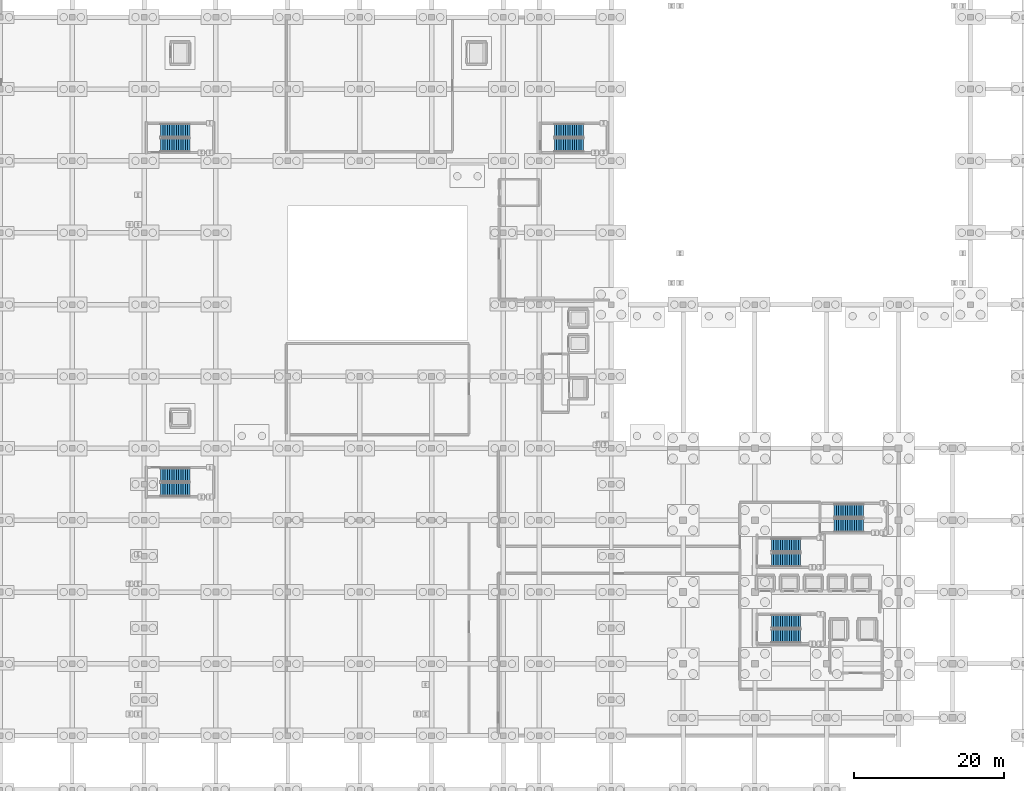
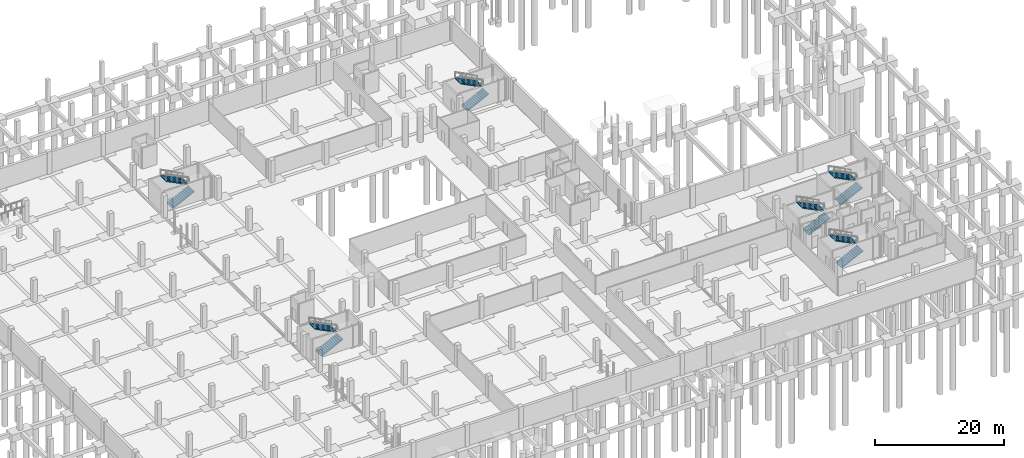
# One storey, part 45 of 54: 12 stair flights, 6 elements without a shape of their own.
"""IFC4 building model written with IfcOpenShell, lengths in metres."""

import ifcopenshell
import ifcopenshell.guid

model = None  # the IFC model being written
_history = None  # IfcOwnerHistory: only IFC2X3 demands one
_inside = {}  # id of a spatial element -> (the spatial element, [elements in it])
_under = {}  # id of a project, library or spatial element -> (it, [spatial elements below it])
_declared = {}  # id of a project -> (the project, [libraries it declares])
_typed = {}  # id of a type object -> (the type object, [elements of that type])
_made_of = {}  # id of a material, layer set ... -> (it, [elements and type objects made of it])


def new_model(schema):
    """Start an empty IFC model of exactly this schema.

    Asked for "IFC4X3", IfcOpenShell would pick the latest addendum, in which some entities
    have other attributes; the version numbers below select the first issue.
    IFC2X3 requires an IfcOwnerHistory on every rooted entity: one is made here for all.
    """
    global model, _history
    if schema == "IFC4X3":
        model = ifcopenshell.file(schema_version=(4, 3, 0, 0))
    else:
        model = ifcopenshell.file(schema=schema)
    _inside.clear()
    _under.clear()
    _declared.clear()
    _typed.clear()
    _made_of.clear()
    _history = None
    if model.schema == "IFC2X3":
        org = make("IfcOrganization", Name="unknown")
        user = make(
            "IfcPersonAndOrganization",
            ThePerson=make("IfcPerson", FamilyName="unknown"),
            TheOrganization=org,
        )
        app = make(
            "IfcApplication",
            ApplicationDeveloper=org,
            Version="unknown",
            ApplicationFullName="unknown",
            ApplicationIdentifier="unknown",
        )
        _history = make(
            "IfcOwnerHistory",
            OwningUser=user,
            OwningApplication=app,
            ChangeAction="ADDED",
            CreationDate=0,
        )
    return model


def make(cls, **values):
    """One entity of the class cls with the attributes given. An attribute that is None is left unset."""
    return model.create_entity(
        cls, **{name: value for name, value in values.items() if value is not None}
    )


def rooted(cls, **values):
    """An entity with a GlobalId (a new one), such as an element, a storey or a relation."""
    return make(cls, GlobalId=ifcopenshell.guid.new(), OwnerHistory=_history, **values)


def si_unit(unit_type, name, prefix=None):
    """IfcSIUnit, for example si_unit("LENGTHUNIT", "METRE", prefix="MILLI")."""
    return make("IfcSIUnit", UnitType=unit_type, Prefix=prefix, Name=name)


def assignment(units):
    """IfcUnitAssignment: the units of a project."""
    return None if units is None else make("IfcUnitAssignment", Units=units)


def point(xyz):
    """IfcCartesianPoint."""
    return None if xyz is None else make("IfcCartesianPoint", Coordinates=xyz)


def direction(xyz):
    """IfcDirection."""
    return None if xyz is None else make("IfcDirection", DirectionRatios=xyz)


def frame(location, z_axis=None, x_axis=None):
    """IfcAxis2Placement3D, a coordinate frame: its origin and axes. An axis left out is left unset."""
    return make(
        "IfcAxis2Placement3D",
        Location=point(location),
        Axis=direction(z_axis),
        RefDirection=direction(x_axis),
    )


def origin():
    """The frame at (0, 0, 0) with its axes left unset."""
    return frame((0.0, 0.0, 0.0))


def place(relative_to, where):
    """IfcLocalPlacement: puts the frame where relative to a parent placement (None: the world)."""
    return make(
        "IfcLocalPlacement", PlacementRelTo=relative_to, RelativePlacement=where
    )


def context(
    kind, dimensions, precision=None, world=None, true_north=None, identifier=None
):
    """IfcGeometricRepresentationContext, for example the 3D "Model" context."""
    return make(
        "IfcGeometricRepresentationContext",
        ContextIdentifier=identifier,
        ContextType=kind,
        CoordinateSpaceDimension=dimensions,
        Precision=precision,
        WorldCoordinateSystem=world,
        TrueNorth=true_north,
    )


def subcontext(parent, identifier, kind, view, scale=None):
    """IfcGeometricRepresentationSubContext, for example "Body" below "Model"."""
    return make(
        "IfcGeometricRepresentationSubContext",
        ContextIdentifier=identifier,
        ContextType=kind,
        ParentContext=parent,
        TargetScale=scale,
        TargetView=view,
    )


def project(units=None, contexts=None):
    """IfcProject with its units and contexts."""
    return rooted(
        "IfcProject",
        Name="project",
        RepresentationContexts=contexts,
        UnitsInContext=assignment(units),
    )


def spatial(cls, under=None, at=None, **own):
    """A site, building, storey or space (cls), placed at a placement, below another one or the project."""
    s = rooted(cls, ObjectPlacement=at, **own)
    if under is not None:
        _under.setdefault(under.id(), (under, []))[1].append(s)
    return s


def polyline(points):
    """IfcPolyline through the points."""
    return make("IfcPolyline", Points=[point(p) for p in points])


def outline(outer, holes=None, kind="AREA"):
    """IfcArbitraryClosedProfileDef: a profile drawn as a closed curve; with holes, ...WithVoids."""
    if holes is None:
        return make("IfcArbitraryClosedProfileDef", ProfileType=kind, OuterCurve=outer)
    return make(
        "IfcArbitraryProfileDefWithVoids",
        ProfileType=kind,
        OuterCurve=outer,
        InnerCurves=holes,
    )


def extrude(swept, where, along, depth):
    """IfcExtrudedAreaSolid: the profile swept, set in the frame where, extruded along a direction by depth."""
    return make(
        "IfcExtrudedAreaSolid",
        SweptArea=swept,
        Position=where,
        ExtrudedDirection=direction(along),
        Depth=depth,
    )


def shape(context_of_items, identifier, shape_type, items):
    """IfcShapeRepresentation: the items that make up one representation, for example the "Body"."""
    return make(
        "IfcShapeRepresentation",
        ContextOfItems=context_of_items,
        RepresentationIdentifier=identifier,
        RepresentationType=shape_type,
        Items=items,
    )


def material(Name=None, Category=None):
    """IfcMaterial."""
    return make("IfcMaterial", Name=Name, Category=Category)


def layer(
    of_material, thickness, ventilated=None, Name=None, Category=None, Priority=None
):
    """IfcMaterialLayer: one layer of a wall or slab, of a material (None: an air gap)."""
    return make(
        "IfcMaterialLayer",
        Material=of_material,
        LayerThickness=thickness,
        IsVentilated=ventilated,
        Name=Name,
        Category=Category,
        Priority=Priority,
    )


def layer_set(layers, Name=None):
    """IfcMaterialLayerSet."""
    return make("IfcMaterialLayerSet", MaterialLayers=layers, LayerSetName=Name)


def made_of(thing, what):
    """Note that an element or type object is made of a material, layer set ...; save() writes the relation."""
    if what is not None:
        _made_of.setdefault(what.id(), (what, []))[1].append(thing)
    return thing


def type_object(cls, material=None, **own):
    """A type object (cls), such as IfcWallType, which elements share."""
    return made_of(rooted(cls, **own), material)


def element(
    cls,
    number,
    at=None,
    inside=None,
    cuts=None,
    type_object=None,
    material=None,
    context=None,
    identifier="Body",
    shape_type=None,
    held_by="IfcProductDefinitionShape",
    body=None,
    shapes=None,
    **own,
):
    """One element of the class cls, such as IfcWall. Its Tag is "e" and its number.

    at: its placement. inside: the storey or other place that contains it. cuts: it is an
    opening in that element (IfcRelVoidsElement). A single representation is given by context,
    identifier, shape_type and body (its items); several are given by shapes. held_by: the class
    of the entity that holds the representations. save() writes the other relations.
    """
    e = rooted(cls, Tag="e%d" % number, ObjectPlacement=at, **own)
    if body is not None:
        shapes = [shape(context, identifier, shape_type, body)]
    if shapes is not None:
        e.Representation = make(held_by, Representations=shapes)
    if inside is not None:
        _inside.setdefault(inside.id(), (inside, []))[1].append(e)
    if cuts is not None:
        rooted(
            "IfcRelVoidsElement", RelatingBuildingElement=cuts, RelatedOpeningElement=e
        )
    if type_object is not None:
        _typed.setdefault(type_object.id(), (type_object, []))[1].append(e)
    return made_of(e, material)


def aggregate(whole, parts):
    """IfcRelAggregates: a whole, such as a stair, and the parts it consists of."""
    return rooted("IfcRelAggregates", RelatingObject=whole, RelatedObjects=parts)


def save(model, path):
    """Write the relations noted so far, then the file.

    IfcRelAggregates (storeys below a building ...), IfcRelContainedInSpatialStructure (elements
    in a storey), IfcRelDefinesByType, IfcRelAssociatesMaterial and IfcRelDeclares: one each for
    every whole, place, type object, material and project.
    """
    for whole, parts in _under.values():
        aggregate(whole, parts)
    for where, things in _inside.values():
        rooted(
            "IfcRelContainedInSpatialStructure",
            RelatedElements=things,
            RelatingStructure=where,
        )
    for kind, things in _typed.values():
        rooted("IfcRelDefinesByType", RelatedObjects=things, RelatingType=kind)
    for what, things in _made_of.values():
        rooted("IfcRelAssociatesMaterial", RelatedObjects=things, RelatingMaterial=what)
    for by, libraries in _declared.values():
        rooted("IfcRelDeclares", RelatingContext=by, RelatedDefinitions=libraries)
    model.write(path)


model = new_model("IFC4")

# Units and contexts
model_context = context("Model", 3, precision=1e-05, world=origin(), true_north=direction((0.0, 1.0)))
body_context = subcontext(model_context, "Body", "Model", "MODEL_VIEW")
ifc_project = project(units=[si_unit("LENGTHUNIT", "METRE"), si_unit("AREAUNIT", "SQUARE_METRE"), si_unit("VOLUMEUNIT", "CUBIC_METRE"), si_unit("PLANEANGLEUNIT", "RADIAN"), si_unit("MASSUNIT", "GRAM", prefix="KILO")], contexts=[model_context])

# Site, building, storey
site_placement = place(None, origin())
site = spatial("IfcSite", under=ifc_project, at=site_placement, CompositionType="ELEMENT")
building_placement = place(site_placement, origin())
building = spatial("IfcBuilding", under=site, at=building_placement, Name="Zevrakil Square Congress Hotel", CompositionType="ELEMENT")
storey_placement = place(building_placement, frame((0.0, 0.0, -8.39990234375)))
storey = spatial("IfcBuildingStorey", under=building, at=storey_placement, Name="B2", CompositionType="ELEMENT", Elevation=-8.39990234375)

# Stair, stair flights
ifc_material_1 = material(Name="Concrete C35/45", Category="concrete")
stair_type = type_object("IfcStairType", Name="STR-DOGLEG-180", PredefinedType="HALF_TURN_STAIR", material=ifc_material_1)
stair_1_placement = place(storey_placement, origin())
stair_1 = element("IfcStair", 1, at=stair_1_placement, inside=storey, type_object=stair_type, Name="B2 Protected exit stair ST01", PredefinedType="HALF_TURN_STAIR")
ifc_material_2 = material(Name="Concrete C35/45", Category="concrete")
ifc_layer = layer(ifc_material_2, 0.159912109375)
ifc_layer_set = layer_set([ifc_layer], Name="Concrete C35/45")
stair_flight_type = type_object("IfcStairFlightType", Name="SFL-STRAIGHT-180", PredefinedType="STRAIGHT", material=ifc_layer_set)
stair_flight_1_placement = place(storey_placement, frame((139.0, 20.5, 0.0), z_axis=(0.0, 0.0, 1.0), x_axis=(1.0, 0.0, 0.0)))
stair_flight_1 = element("IfcStairFlight", 2, at=stair_flight_1_placement, type_object=stair_flight_type, Name="ST01 flight 1", NumberOfRisers=14, NumberOfTreads=13, PredefinedType="STRAIGHT", RiserHeight=0.15, TreadLength=0.3, context=body_context, shape_type="SweptSolid", body=[
    extrude(outline(polyline([(0.0, 0.0), (0.0, 0.14990234375), (0.300048828125, 0.14990234375), (0.300048828125, 0.300048828125), (0.60009765625, 0.300048828125), (0.60009765625, 0.449951171875), (0.89990234375, 0.449951171875), (0.89990234375, 0.60009765625), (1.199951171875, 0.60009765625), (1.199951171875, 0.75), (1.5, 0.75), (1.5, 0.89990234375), (1.800048828125, 0.89990234375), (1.800048828125, 1.050048828125), (2.10009765625, 1.050048828125), (2.10009765625, 1.199951171875), (2.39990234375, 1.199951171875), (2.39990234375, 1.35009765625), (2.699951171875, 1.35009765625), (2.699951171875, 1.5), (3.0, 1.5), (3.0, 1.64990234375), (3.300048828125, 1.64990234375), (3.300048828125, 1.800048828125), (3.60009765625, 1.800048828125), (3.60009765625, 1.949951171875), (3.89990234375, 1.949951171875), (3.89990234375, 2.10009765625), (3.89990234375, 1.782470703125), (0.335205078125, 0.0), (0.0, 0.0)])), frame((0.0, 0.89990234375, 0.0), z_axis=(0.0, -1.0, 0.0), x_axis=(1.0, 0.0, 0.0)), (0.0, 0.0, 1.0), 1.800048828125),
])
stair_flight_2_placement = place(storey_placement, frame((142.89990234375, 22.449951171875, 2.099853515625), z_axis=(0.0, 0.0, 1.0), x_axis=(-1.0, 0.0, 0.0)))
stair_flight_2 = element("IfcStairFlight", 3, at=stair_flight_2_placement, type_object=stair_flight_type, Name="ST01 flight 2", NumberOfRisers=14, NumberOfTreads=13, PredefinedType="STRAIGHT", RiserHeight=0.15, TreadLength=0.3, context=body_context, shape_type="SweptSolid", body=[
    extrude(outline(polyline([(0.0, 0.0), (0.0, 0.14990234375), (0.300048828125, 0.14990234375), (0.300048828125, 0.300048828125), (0.60009765625, 0.300048828125), (0.60009765625, 0.449951171875), (0.89990234375, 0.449951171875), (0.89990234375, 0.60009765625), (1.199951171875, 0.60009765625), (1.199951171875, 0.75), (1.5, 0.75), (1.5, 0.89990234375), (1.800048828125, 0.89990234375), (1.800048828125, 1.050048828125), (2.10009765625, 1.050048828125), (2.10009765625, 1.199951171875), (2.39990234375, 1.199951171875), (2.39990234375, 1.35009765625), (2.699951171875, 1.35009765625), (2.699951171875, 1.5), (3.0, 1.5), (3.0, 1.64990234375), (3.300048828125, 1.64990234375), (3.300048828125, 1.800048828125), (3.60009765625, 1.800048828125), (3.60009765625, 1.949951171875), (3.89990234375, 1.949951171875), (3.89990234375, 2.10009765625), (3.89990234375, 1.782470703125), (0.335205078125, 0.0), (0.0, 0.0)])), frame((0.0, 0.89990234375, 0.0), z_axis=(0.0, -1.0, 0.0), x_axis=(1.0, 0.0, 0.0)), (0.0, 0.0, 1.0), 1.800048828125),
])
aggregate(stair_1, [stair_flight_1, stair_flight_2])

stair_2_placement = place(storey_placement, origin())
stair_2 = element("IfcStair", 4, at=stair_2_placement, inside=storey, type_object=stair_type, Name="B2 Protected exit stair ST02", PredefinedType="HALF_TURN_STAIR")
stair_flight_3_placement = place(storey_placement, frame((139.0, 30.699951171875, 0.0), z_axis=(0.0, 0.0, 1.0), x_axis=(1.0, 0.0, 0.0)))
stair_flight_3 = element("IfcStairFlight", 5, at=stair_flight_3_placement, type_object=stair_flight_type, Name="ST02 flight 1", NumberOfRisers=14, NumberOfTreads=13, PredefinedType="STRAIGHT", RiserHeight=0.15, TreadLength=0.3, context=body_context, shape_type="SweptSolid", body=[
    extrude(outline(polyline([(0.0, 0.0), (0.0, 0.14990234375), (0.300048828125, 0.14990234375), (0.300048828125, 0.300048828125), (0.60009765625, 0.300048828125), (0.60009765625, 0.449951171875), (0.89990234375, 0.449951171875), (0.89990234375, 0.60009765625), (1.199951171875, 0.60009765625), (1.199951171875, 0.75), (1.5, 0.75), (1.5, 0.89990234375), (1.800048828125, 0.89990234375), (1.800048828125, 1.050048828125), (2.10009765625, 1.050048828125), (2.10009765625, 1.199951171875), (2.39990234375, 1.199951171875), (2.39990234375, 1.35009765625), (2.699951171875, 1.35009765625), (2.699951171875, 1.5), (3.0, 1.5), (3.0, 1.64990234375), (3.300048828125, 1.64990234375), (3.300048828125, 1.800048828125), (3.60009765625, 1.800048828125), (3.60009765625, 1.949951171875), (3.89990234375, 1.949951171875), (3.89990234375, 2.10009765625), (3.89990234375, 1.782470703125), (0.335205078125, 0.0), (0.0, 0.0)])), frame((0.0, 0.89990234375, 0.0), z_axis=(0.0, -1.0, 0.0), x_axis=(1.0, 0.0, 0.0)), (0.0, 0.0, 1.0), 1.800048828125),
])
stair_flight_4_placement = place(storey_placement, frame((142.89990234375, 32.64990234375, 2.099853515625), z_axis=(0.0, 0.0, 1.0), x_axis=(-1.0, 0.0, 0.0)))
stair_flight_4 = element("IfcStairFlight", 6, at=stair_flight_4_placement, type_object=stair_flight_type, Name="ST02 flight 2", NumberOfRisers=14, NumberOfTreads=13, PredefinedType="STRAIGHT", RiserHeight=0.15, TreadLength=0.3, context=body_context, shape_type="SweptSolid", body=[
    extrude(outline(polyline([(0.0, 0.0), (0.0, 0.14990234375), (0.300048828125, 0.14990234375), (0.300048828125, 0.300048828125), (0.60009765625, 0.300048828125), (0.60009765625, 0.449951171875), (0.89990234375, 0.449951171875), (0.89990234375, 0.60009765625), (1.199951171875, 0.60009765625), (1.199951171875, 0.75), (1.5, 0.75), (1.5, 0.89990234375), (1.800048828125, 0.89990234375), (1.800048828125, 1.050048828125), (2.10009765625, 1.050048828125), (2.10009765625, 1.199951171875), (2.39990234375, 1.199951171875), (2.39990234375, 1.35009765625), (2.699951171875, 1.35009765625), (2.699951171875, 1.5), (3.0, 1.5), (3.0, 1.64990234375), (3.300048828125, 1.64990234375), (3.300048828125, 1.800048828125), (3.60009765625, 1.800048828125), (3.60009765625, 1.949951171875), (3.89990234375, 1.949951171875), (3.89990234375, 2.10009765625), (3.89990234375, 1.782470703125), (0.335205078125, 0.0), (0.0, 0.0)])), frame((0.0, 0.89990234375, 0.0), z_axis=(0.0, -1.0, 0.0), x_axis=(1.0, 0.0, 0.0)), (0.0, 0.0, 1.0), 1.800048828125),
])
aggregate(stair_2, [stair_flight_3, stair_flight_4])

stair_3_placement = place(storey_placement, origin())
stair_3 = element("IfcStair", 7, at=stair_3_placement, inside=storey, type_object=stair_type, Name="B2 Protected exit stair ST03", PredefinedType="HALF_TURN_STAIR")
stair_flight_5_placement = place(storey_placement, frame((147.39990234375, 35.300048828125, 0.0), z_axis=(0.0, 0.0, 1.0), x_axis=(1.0, 0.0, 0.0)))
stair_flight_5 = element("IfcStairFlight", 8, at=stair_flight_5_placement, type_object=stair_flight_type, Name="ST03 flight 1", NumberOfRisers=14, NumberOfTreads=13, PredefinedType="STRAIGHT", RiserHeight=0.15, TreadLength=0.3, context=body_context, shape_type="SweptSolid", body=[
    extrude(outline(polyline([(0.0, 0.0), (0.0, 0.14990234375), (0.300048828125, 0.14990234375), (0.300048828125, 0.300048828125), (0.60009765625, 0.300048828125), (0.60009765625, 0.449951171875), (0.89990234375, 0.449951171875), (0.89990234375, 0.60009765625), (1.199951171875, 0.60009765625), (1.199951171875, 0.75), (1.5, 0.75), (1.5, 0.89990234375), (1.800048828125, 0.89990234375), (1.800048828125, 1.050048828125), (2.10009765625, 1.050048828125), (2.10009765625, 1.199951171875), (2.39990234375, 1.199951171875), (2.39990234375, 1.35009765625), (2.699951171875, 1.35009765625), (2.699951171875, 1.5), (3.0, 1.5), (3.0, 1.64990234375), (3.300048828125, 1.64990234375), (3.300048828125, 1.800048828125), (3.60009765625, 1.800048828125), (3.60009765625, 1.949951171875), (3.89990234375, 1.949951171875), (3.89990234375, 2.10009765625), (3.89990234375, 1.782470703125), (0.335205078125, 0.0), (0.0, 0.0)])), frame((0.0, 0.89990234375, 0.0), z_axis=(0.0, -1.0, 0.0), x_axis=(1.0, 0.0, 0.0)), (0.0, 0.0, 1.0), 1.800048828125),
])
stair_flight_6_placement = place(storey_placement, frame((151.300048828125, 37.25, 2.099853515625), z_axis=(0.0, 0.0, 1.0), x_axis=(-1.0, 0.0, 0.0)))
stair_flight_6 = element("IfcStairFlight", 9, at=stair_flight_6_placement, type_object=stair_flight_type, Name="ST03 flight 2", NumberOfRisers=14, NumberOfTreads=13, PredefinedType="STRAIGHT", RiserHeight=0.15, TreadLength=0.3, context=body_context, shape_type="SweptSolid", body=[
    extrude(outline(polyline([(0.0, 0.0), (0.0, 0.14990234375), (0.300048828125, 0.14990234375), (0.300048828125, 0.300048828125), (0.60009765625, 0.300048828125), (0.60009765625, 0.449951171875), (0.89990234375, 0.449951171875), (0.89990234375, 0.60009765625), (1.199951171875, 0.60009765625), (1.199951171875, 0.75), (1.5, 0.75), (1.5, 0.89990234375), (1.800048828125, 0.89990234375), (1.800048828125, 1.050048828125), (2.10009765625, 1.050048828125), (2.10009765625, 1.199951171875), (2.39990234375, 1.199951171875), (2.39990234375, 1.35009765625), (2.699951171875, 1.35009765625), (2.699951171875, 1.5), (3.0, 1.5), (3.0, 1.64990234375), (3.300048828125, 1.64990234375), (3.300048828125, 1.800048828125), (3.60009765625, 1.800048828125), (3.60009765625, 1.949951171875), (3.89990234375, 1.949951171875), (3.89990234375, 2.10009765625), (3.89990234375, 1.782470703125), (0.335205078125, 0.0), (0.0, 0.0)])), frame((0.0, 0.89990234375, 0.0), z_axis=(0.0, -1.0, 0.0), x_axis=(1.0, 0.0, 0.0)), (0.0, 0.0, 1.0), 1.800048828125),
])
aggregate(stair_3, [stair_flight_5, stair_flight_6])

stair_4_placement = place(storey_placement, origin())
stair_4 = element("IfcStair", 10, at=stair_4_placement, inside=storey, type_object=stair_type, Name="B2 Protected exit stair ST04", PredefinedType="HALF_TURN_STAIR")
stair_flight_7_placement = place(storey_placement, frame((57.39990234375, 40.10009765625, 0.0), z_axis=(0.0, 0.0, 1.0), x_axis=(1.0, 0.0, 0.0)))
stair_flight_7 = element("IfcStairFlight", 11, at=stair_flight_7_placement, type_object=stair_flight_type, Name="ST04 flight 1", NumberOfRisers=14, NumberOfTreads=13, PredefinedType="STRAIGHT", RiserHeight=0.15, TreadLength=0.3, context=body_context, shape_type="SweptSolid", body=[
    extrude(outline(polyline([(0.0, 0.0), (0.0, 0.14990234375), (0.300048828125, 0.14990234375), (0.300048828125, 0.300048828125), (0.60009765625, 0.300048828125), (0.60009765625, 0.449951171875), (0.89990234375, 0.449951171875), (0.89990234375, 0.60009765625), (1.199951171875, 0.60009765625), (1.199951171875, 0.75), (1.5, 0.75), (1.5, 0.89990234375), (1.800048828125, 0.89990234375), (1.800048828125, 1.050048828125), (2.10009765625, 1.050048828125), (2.10009765625, 1.199951171875), (2.39990234375, 1.199951171875), (2.39990234375, 1.35009765625), (2.699951171875, 1.35009765625), (2.699951171875, 1.5), (3.0, 1.5), (3.0, 1.64990234375), (3.300048828125, 1.64990234375), (3.300048828125, 1.800048828125), (3.60009765625, 1.800048828125), (3.60009765625, 1.949951171875), (3.89990234375, 1.949951171875), (3.89990234375, 2.10009765625), (3.89990234375, 1.782470703125), (0.335205078125, 0.0), (0.0, 0.0)])), frame((0.0, 0.89990234375, 0.0), z_axis=(0.0, -1.0, 0.0), x_axis=(1.0, 0.0, 0.0)), (0.0, 0.0, 1.0), 1.800048828125),
])
stair_flight_8_placement = place(storey_placement, frame((61.300048828125, 42.050048828125, 2.099853515625), z_axis=(0.0, 0.0, 1.0), x_axis=(-1.0, 0.0, 0.0)))
stair_flight_8 = element("IfcStairFlight", 12, at=stair_flight_8_placement, type_object=stair_flight_type, Name="ST04 flight 2", NumberOfRisers=14, NumberOfTreads=13, PredefinedType="STRAIGHT", RiserHeight=0.15, TreadLength=0.3, context=body_context, shape_type="SweptSolid", body=[
    extrude(outline(polyline([(0.0, 0.0), (0.0, 0.14990234375), (0.300048828125, 0.14990234375), (0.300048828125, 0.300048828125), (0.60009765625, 0.300048828125), (0.60009765625, 0.449951171875), (0.89990234375, 0.449951171875), (0.89990234375, 0.60009765625), (1.199951171875, 0.60009765625), (1.199951171875, 0.75), (1.5, 0.75), (1.5, 0.89990234375), (1.800048828125, 0.89990234375), (1.800048828125, 1.050048828125), (2.10009765625, 1.050048828125), (2.10009765625, 1.199951171875), (2.39990234375, 1.199951171875), (2.39990234375, 1.35009765625), (2.699951171875, 1.35009765625), (2.699951171875, 1.5), (3.0, 1.5), (3.0, 1.64990234375), (3.300048828125, 1.64990234375), (3.300048828125, 1.800048828125), (3.60009765625, 1.800048828125), (3.60009765625, 1.949951171875), (3.89990234375, 1.949951171875), (3.89990234375, 2.10009765625), (3.89990234375, 1.782470703125), (0.335205078125, 0.0), (0.0, 0.0)])), frame((0.0, 0.89990234375, 0.0), z_axis=(0.0, -1.0, 0.0), x_axis=(1.0, 0.0, 0.0)), (0.0, 0.0, 1.0), 1.800048828125),
])
aggregate(stair_4, [stair_flight_7, stair_flight_8])

stair_5_placement = place(storey_placement, origin())
stair_5 = element("IfcStair", 13, at=stair_5_placement, inside=storey, type_object=stair_type, Name="B2 Protected exit stair ST05", PredefinedType="HALF_TURN_STAIR")
stair_flight_9_placement = place(storey_placement, frame((57.39990234375, 86.10009765625, 0.0), z_axis=(0.0, 0.0, 1.0), x_axis=(1.0, 0.0, 0.0)))
stair_flight_9 = element("IfcStairFlight", 14, at=stair_flight_9_placement, type_object=stair_flight_type, Name="ST05 flight 1", NumberOfRisers=14, NumberOfTreads=13, PredefinedType="STRAIGHT", RiserHeight=0.15, TreadLength=0.3, context=body_context, shape_type="SweptSolid", body=[
    extrude(outline(polyline([(0.0, 0.0), (0.0, 0.14990234375), (0.300048828125, 0.14990234375), (0.300048828125, 0.300048828125), (0.60009765625, 0.300048828125), (0.60009765625, 0.449951171875), (0.89990234375, 0.449951171875), (0.89990234375, 0.60009765625), (1.199951171875, 0.60009765625), (1.199951171875, 0.75), (1.5, 0.75), (1.5, 0.89990234375), (1.800048828125, 0.89990234375), (1.800048828125, 1.050048828125), (2.10009765625, 1.050048828125), (2.10009765625, 1.199951171875), (2.39990234375, 1.199951171875), (2.39990234375, 1.35009765625), (2.699951171875, 1.35009765625), (2.699951171875, 1.5), (3.0, 1.5), (3.0, 1.64990234375), (3.300048828125, 1.64990234375), (3.300048828125, 1.800048828125), (3.60009765625, 1.800048828125), (3.60009765625, 1.949951171875), (3.89990234375, 1.949951171875), (3.89990234375, 2.10009765625), (3.89990234375, 1.782470703125), (0.335205078125, 0.0), (0.0, 0.0)])), frame((0.0, 0.89990234375, 0.0), z_axis=(0.0, -1.0, 0.0), x_axis=(1.0, 0.0, 0.0)), (0.0, 0.0, 1.0), 1.800048828125),
])
stair_flight_10_placement = place(storey_placement, frame((61.300048828125, 88.050048828125, 2.099853515625), z_axis=(0.0, 0.0, 1.0), x_axis=(-1.0, 0.0, 0.0)))
stair_flight_10 = element("IfcStairFlight", 15, at=stair_flight_10_placement, type_object=stair_flight_type, Name="ST05 flight 2", NumberOfRisers=14, NumberOfTreads=13, PredefinedType="STRAIGHT", RiserHeight=0.15, TreadLength=0.3, context=body_context, shape_type="SweptSolid", body=[
    extrude(outline(polyline([(0.0, 0.0), (0.0, 0.14990234375), (0.300048828125, 0.14990234375), (0.300048828125, 0.300048828125), (0.60009765625, 0.300048828125), (0.60009765625, 0.449951171875), (0.89990234375, 0.449951171875), (0.89990234375, 0.60009765625), (1.199951171875, 0.60009765625), (1.199951171875, 0.75), (1.5, 0.75), (1.5, 0.89990234375), (1.800048828125, 0.89990234375), (1.800048828125, 1.050048828125), (2.10009765625, 1.050048828125), (2.10009765625, 1.199951171875), (2.39990234375, 1.199951171875), (2.39990234375, 1.35009765625), (2.699951171875, 1.35009765625), (2.699951171875, 1.5), (3.0, 1.5), (3.0, 1.64990234375), (3.300048828125, 1.64990234375), (3.300048828125, 1.800048828125), (3.60009765625, 1.800048828125), (3.60009765625, 1.949951171875), (3.89990234375, 1.949951171875), (3.89990234375, 2.10009765625), (3.89990234375, 1.782470703125), (0.335205078125, 0.0), (0.0, 0.0)])), frame((0.0, 0.89990234375, 0.0), z_axis=(0.0, -1.0, 0.0), x_axis=(1.0, 0.0, 0.0)), (0.0, 0.0, 1.0), 1.800048828125),
])
aggregate(stair_5, [stair_flight_9, stair_flight_10])

stair_6_placement = place(storey_placement, origin())
stair_6 = element("IfcStair", 16, at=stair_6_placement, inside=storey, type_object=stair_type, Name="B2 Protected exit stair ST06", PredefinedType="HALF_TURN_STAIR")
stair_flight_11_placement = place(storey_placement, frame((110.0, 86.10009765625, 0.0), z_axis=(0.0, 0.0, 1.0), x_axis=(1.0, 0.0, 0.0)))
stair_flight_11 = element("IfcStairFlight", 17, at=stair_flight_11_placement, type_object=stair_flight_type, Name="ST06 flight 1", NumberOfRisers=14, NumberOfTreads=13, PredefinedType="STRAIGHT", RiserHeight=0.15, TreadLength=0.3, context=body_context, shape_type="SweptSolid", body=[
    extrude(outline(polyline([(0.0, 0.0), (0.0, 0.14990234375), (0.300048828125, 0.14990234375), (0.300048828125, 0.300048828125), (0.60009765625, 0.300048828125), (0.60009765625, 0.449951171875), (0.89990234375, 0.449951171875), (0.89990234375, 0.60009765625), (1.199951171875, 0.60009765625), (1.199951171875, 0.75), (1.5, 0.75), (1.5, 0.89990234375), (1.800048828125, 0.89990234375), (1.800048828125, 1.050048828125), (2.10009765625, 1.050048828125), (2.10009765625, 1.199951171875), (2.39990234375, 1.199951171875), (2.39990234375, 1.35009765625), (2.699951171875, 1.35009765625), (2.699951171875, 1.5), (3.0, 1.5), (3.0, 1.64990234375), (3.300048828125, 1.64990234375), (3.300048828125, 1.800048828125), (3.60009765625, 1.800048828125), (3.60009765625, 1.949951171875), (3.89990234375, 1.949951171875), (3.89990234375, 2.10009765625), (3.89990234375, 1.782470703125), (0.335205078125, 0.0), (0.0, 0.0)])), frame((0.0, 0.89990234375, 0.0), z_axis=(0.0, -1.0, 0.0), x_axis=(1.0, 0.0, 0.0)), (0.0, 0.0, 1.0), 1.800048828125),
])
stair_flight_12_placement = place(storey_placement, frame((113.89990234375, 88.050048828125, 2.099853515625), z_axis=(0.0, 0.0, 1.0), x_axis=(-1.0, 0.0, 0.0)))
stair_flight_12 = element("IfcStairFlight", 18, at=stair_flight_12_placement, type_object=stair_flight_type, Name="ST06 flight 2", NumberOfRisers=14, NumberOfTreads=13, PredefinedType="STRAIGHT", RiserHeight=0.15, TreadLength=0.3, context=body_context, shape_type="SweptSolid", body=[
    extrude(outline(polyline([(0.0, 0.0), (0.0, 0.14990234375), (0.300048828125, 0.14990234375), (0.300048828125, 0.300048828125), (0.60009765625, 0.300048828125), (0.60009765625, 0.449951171875), (0.89990234375, 0.449951171875), (0.89990234375, 0.60009765625), (1.199951171875, 0.60009765625), (1.199951171875, 0.75), (1.5, 0.75), (1.5, 0.89990234375), (1.800048828125, 0.89990234375), (1.800048828125, 1.050048828125), (2.10009765625, 1.050048828125), (2.10009765625, 1.199951171875), (2.39990234375, 1.199951171875), (2.39990234375, 1.35009765625), (2.699951171875, 1.35009765625), (2.699951171875, 1.5), (3.0, 1.5), (3.0, 1.64990234375), (3.300048828125, 1.64990234375), (3.300048828125, 1.800048828125), (3.60009765625, 1.800048828125), (3.60009765625, 1.949951171875), (3.89990234375, 1.949951171875), (3.89990234375, 2.10009765625), (3.89990234375, 1.782470703125), (0.335205078125, 0.0), (0.0, 0.0)])), frame((0.0, 0.89990234375, 0.0), z_axis=(0.0, -1.0, 0.0), x_axis=(1.0, 0.0, 0.0)), (0.0, 0.0, 1.0), 1.800048828125),
])
aggregate(stair_6, [stair_flight_11, stair_flight_12])

save(model, "model.ifc")
